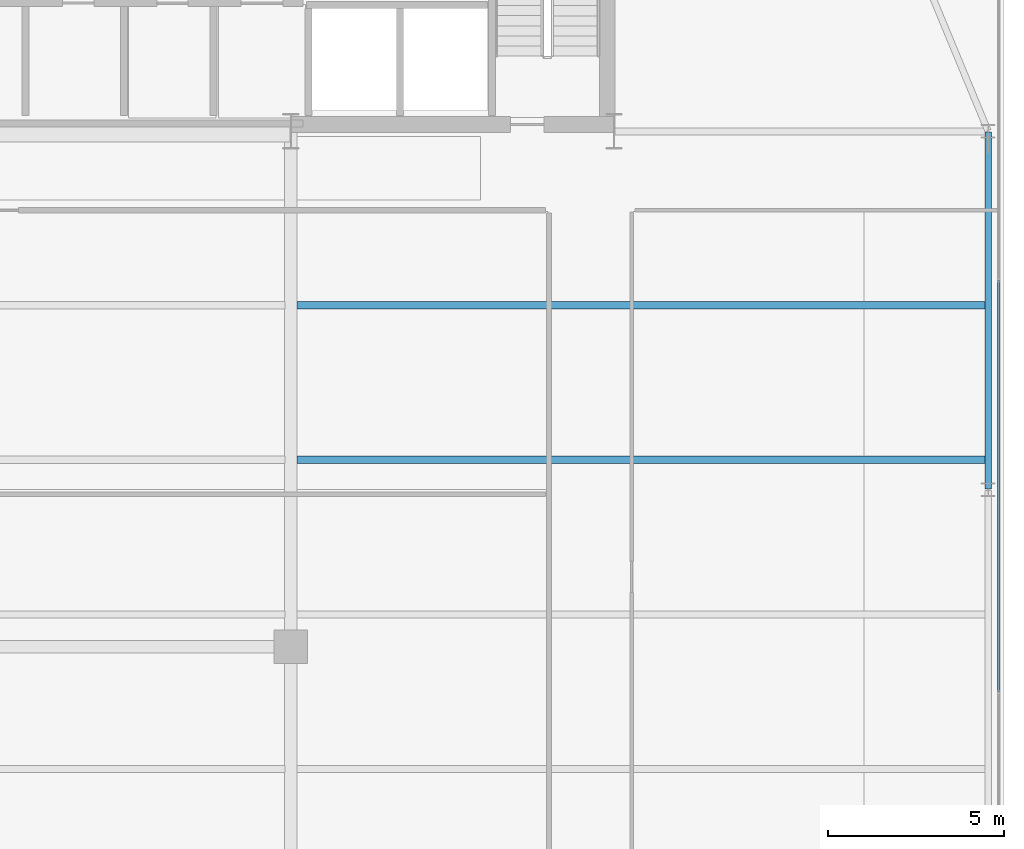
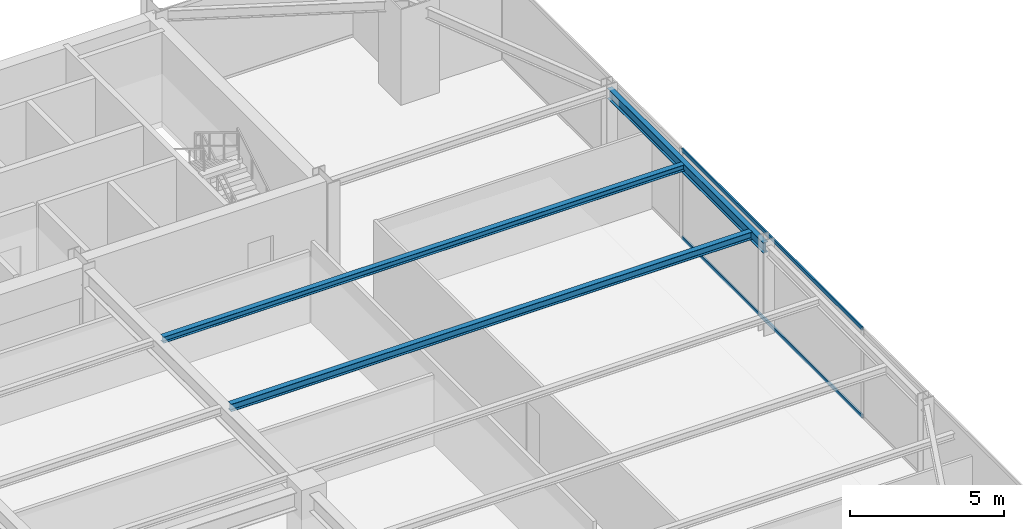
# One storey, part 19 of 36: 3 beams, 2 members, 1 element without a shape of its own.
"""IFC4 building model written with IfcOpenShell, lengths in metres."""

from ifc_helpers import new_model, si_unit, direction, frame, origin, origin_2d, place, context, subcontext, project, spatial, hollow_rectangle, i_section, extrude, source, transform, mapped, material, layer, layer_set, material_profile, profile_set, type_object, type_shapes, element, aggregate, save


model = new_model("IFC4")

# Units and contexts
model_context = context("Model", 3, precision=1e-05, world=origin(), true_north=direction((0.0, 1.0)))
body_context = subcontext(model_context, "Body", "Model", "MODEL_VIEW")
ifc_project = project(units=[si_unit("LENGTHUNIT", "METRE"), si_unit("AREAUNIT", "SQUARE_METRE"), si_unit("VOLUMEUNIT", "CUBIC_METRE"), si_unit("PLANEANGLEUNIT", "RADIAN"), si_unit("MASSUNIT", "GRAM", prefix="KILO")], contexts=[model_context])

# Site, building, storey
site_placement = place(None, origin())
site = spatial("IfcSite", under=ifc_project, at=site_placement, CompositionType="ELEMENT")
building_placement = place(site_placement, origin())
building = spatial("IfcBuilding", under=site, at=building_placement, Name="Varnel Quay Broadcast Tower", CompositionType="ELEMENT")
storey_placement = place(building_placement, frame((0.0, 0.0, 114.39990234375)))
storey = spatial("IfcBuildingStorey", under=building, at=storey_placement, Name="L27", CompositionType="ELEMENT", Elevation=114.39990234375)

# Beams
ifc_material_1 = material(Name="Structural Steel CSA G40.21 350W", Category="steel")
ifc_material_profile_1 = material_profile(ifc_material_1, i_section(OverallWidth=0.180908203125, OverallDepth=0.4169921875, WebThickness=0.010986328125, FlangeThickness=0.018310546875, FilletRadius=0.011962890625, at=origin_2d()), Name="W410X85")
ifc_profile_set_1 = profile_set([ifc_material_profile_1], Name="Structural Steel CSA G40.21 350W")
beam_type_1 = type_object("IfcBeamType", Name="Beam_W410X85", PredefinedType="SPANDREL", material=ifc_profile_set_1)
shared_shape_1 = source(origin(), body_context, "Body", "SweptSolid", [
    extrude(i_section(OverallWidth=0.180908203125, OverallDepth=0.4169921875, WebThickness=0.010986328125, FlangeThickness=0.018310546875, FilletRadius=0.011962890625, at=origin_2d()), origin(), (0.0, 0.0, 1.0), 10.16015625),
])
type_shapes(beam_type_1, [shared_shape_1])
beam_1_placement = place(storey_placement, frame((63.050048828125, 25.419921875, 3.341552734375), z_axis=(0.0, 1.0, 0.0), x_axis=(-1.0, 0.0, 0.0)))
element("IfcBeam", 1, at=beam_1_placement, inside=storey, type_object=beam_type_1, Name="L27 East Spandrel TC-E2-TC-E3", PredefinedType="SPANDREL", context=body_context, shape_type="MappedRepresentation", body=[
    mapped(shared_shape_1, transform((0.0, 0.0, 0.0), x_axis=(1.0, 0.0, 0.0), y_axis=(0.0, 1.0, 0.0), z_axis=(0.0, 0.0, 1.0), scale=1.0)),
])
ifc_material_profile_2 = material_profile(ifc_material_1, i_section(OverallWidth=0.202880859375, OverallDepth=0.302978515625, WebThickness=0.007568359375, FlangeThickness=0.01318359375, FilletRadius=0.011962890625, at=origin_2d()), Name="W310X60")
ifc_profile_set_2 = profile_set([ifc_material_profile_2], Name="Structural Steel CSA G40.21 350W")
beam_type_2 = type_object("IfcBeamType", Name="Beam_W310X60", PredefinedType="JOIST", material=ifc_profile_set_2)
shared_shape_2 = source(origin(), body_context, "Body", "SweptSolid", [
    extrude(i_section(OverallWidth=0.202880859375, OverallDepth=0.302978515625, WebThickness=0.007568359375, FlangeThickness=0.01318359375, FilletRadius=0.011962890625, at=origin_2d()), origin(), (0.0, 0.0, 1.0), 19.592041015625),
])
type_shapes(beam_type_2, [shared_shape_2])
beam_2_placement = place(storey_placement, frame((43.37255859375, 26.25, 3.398681640625), z_axis=(1.0, 0.0, 0.0), x_axis=(0.0, 1.0, 0.0)))
element("IfcBeam", 2, at=beam_2_placement, inside=storey, type_object=beam_type_2, Name="L27 East Floor Joist 5", PredefinedType="JOIST", context=body_context, shape_type="MappedRepresentation", body=[
    mapped(shared_shape_2, transform((0.0, 0.0, 0.0), x_axis=(1.0, 0.0, 0.0), y_axis=(0.0, 1.0, 0.0), z_axis=(0.0, 0.0, 1.0), scale=1.0)),
])
ifc_material_profile_3 = material_profile(ifc_material_1, i_section(OverallWidth=0.201904296875, OverallDepth=0.2470703125, WebThickness=0.00732421875, FlangeThickness=0.010986328125, FilletRadius=0.010986328125, at=origin_2d()), Name="W250X49")
ifc_profile_set_3 = profile_set([ifc_material_profile_3], Name="Structural Steel CSA G40.21 350W")
beam_type_3 = type_object("IfcBeamType", Name="Beam_W250X49", PredefinedType="JOIST", material=ifc_profile_set_3)
shared_shape_3 = source(origin(), body_context, "Body", "SweptSolid", [
    extrude(i_section(OverallWidth=0.201904296875, OverallDepth=0.2470703125, WebThickness=0.00732421875, FlangeThickness=0.010986328125, FilletRadius=0.010986328125, at=origin_2d()), origin(), (0.0, 0.0, 1.0), 19.592041015625),
])
type_shapes(beam_type_3, [shared_shape_3])
beam_3_placement = place(storey_placement, frame((43.37255859375, 30.64990234375, 3.426513671875), z_axis=(1.0, 0.0, 0.0), x_axis=(0.0, 1.0, 0.0)))
element("IfcBeam", 3, at=beam_3_placement, inside=storey, type_object=beam_type_3, Name="L27 East Floor Joist 6", PredefinedType="JOIST", context=body_context, shape_type="MappedRepresentation", body=[
    mapped(shared_shape_3, transform((0.0, 0.0, 0.0), x_axis=(1.0, 0.0, 0.0), y_axis=(0.0, 1.0, 0.0), z_axis=(0.0, 0.0, 1.0), scale=1.0)),
])

# Curtain wall, members
ifc_material_2 = material(Name="Anodised Bronze Aluminium 6063-T6", Category="aluminium")
ifc_layer = layer(ifc_material_2, 0.18994140625, Name="Anodised Bronze Aluminium 6063-T6")
ifc_layer_set = layer_set([ifc_layer], Name="Anodised Bronze Aluminium 6063-T6")
curtain_wall_type = type_object("IfcCurtainWallType", Name="CW_LowerTower", PredefinedType="NOTDEFINED", material=ifc_layer_set)
curtain_wall_placement = place(storey_placement, origin())
curtain_wall = element("IfcCurtainWall", 4, at=curtain_wall_placement, inside=storey, type_object=curtain_wall_type, Name="L27 East Unitised Curtain Wall", PredefinedType="NOTDEFINED")
ifc_material_profile_4 = material_profile(ifc_material_2, hollow_rectangle(XDim=0.06005859375, YDim=0.14501953125, WallThickness=0.00341796875, at=origin_2d()), Name="ALU60X145X3.5")
ifc_profile_set_4 = profile_set([ifc_material_profile_4], Name="Anodised Bronze Aluminium 6063-T6")
member_type = type_object("IfcMemberType", Name="Tran_CWS-02", PredefinedType="USERDEFINED", material=ifc_profile_set_4)
shared_shape_4 = source(origin(), body_context, "Body", "SweptSolid", [
    extrude(hollow_rectangle(XDim=0.06005859375, YDim=0.14501953125, WallThickness=0.00341796875, at=origin_2d()), origin(), (0.0, 0.0, 1.0), 11.72998046875),
])
type_shapes(member_type, [shared_shape_4])
member_1_placement = place(storey_placement, frame((63.35009765625, 19.635009765625, 0.030029296875), z_axis=(0.0, 1.0, 0.0), x_axis=(-1.0, 0.0, 0.0)))
member_1 = element("IfcMember", 5, at=member_1_placement, type_object=member_type, Name="CWS-02 transom 2.1", ObjectType="TRANSOM", PredefinedType="USERDEFINED", context=body_context, shape_type="MappedRepresentation", body=[
    mapped(shared_shape_4, transform((0.0, 0.0, 0.0), x_axis=(1.0, 0.0, 0.0), y_axis=(0.0, 1.0, 0.0), z_axis=(0.0, 0.0, 1.0), scale=1.0)),
])
member_2_placement = place(storey_placement, frame((63.35009765625, 19.635009765625, 3.52001953125), z_axis=(0.0, 1.0, 0.0), x_axis=(-1.0, 0.0, 0.0)))
member_2 = element("IfcMember", 6, at=member_2_placement, type_object=member_type, Name="CWS-02 transom 2.2", ObjectType="TRANSOM", PredefinedType="USERDEFINED", context=body_context, shape_type="MappedRepresentation", body=[
    mapped(shared_shape_4, transform((0.0, 0.0, 0.0), x_axis=(1.0, 0.0, 0.0), y_axis=(0.0, 1.0, 0.0), z_axis=(0.0, 0.0, 1.0), scale=1.0)),
])
aggregate(curtain_wall, [member_1, member_2])

save(model, "model.ifc")
